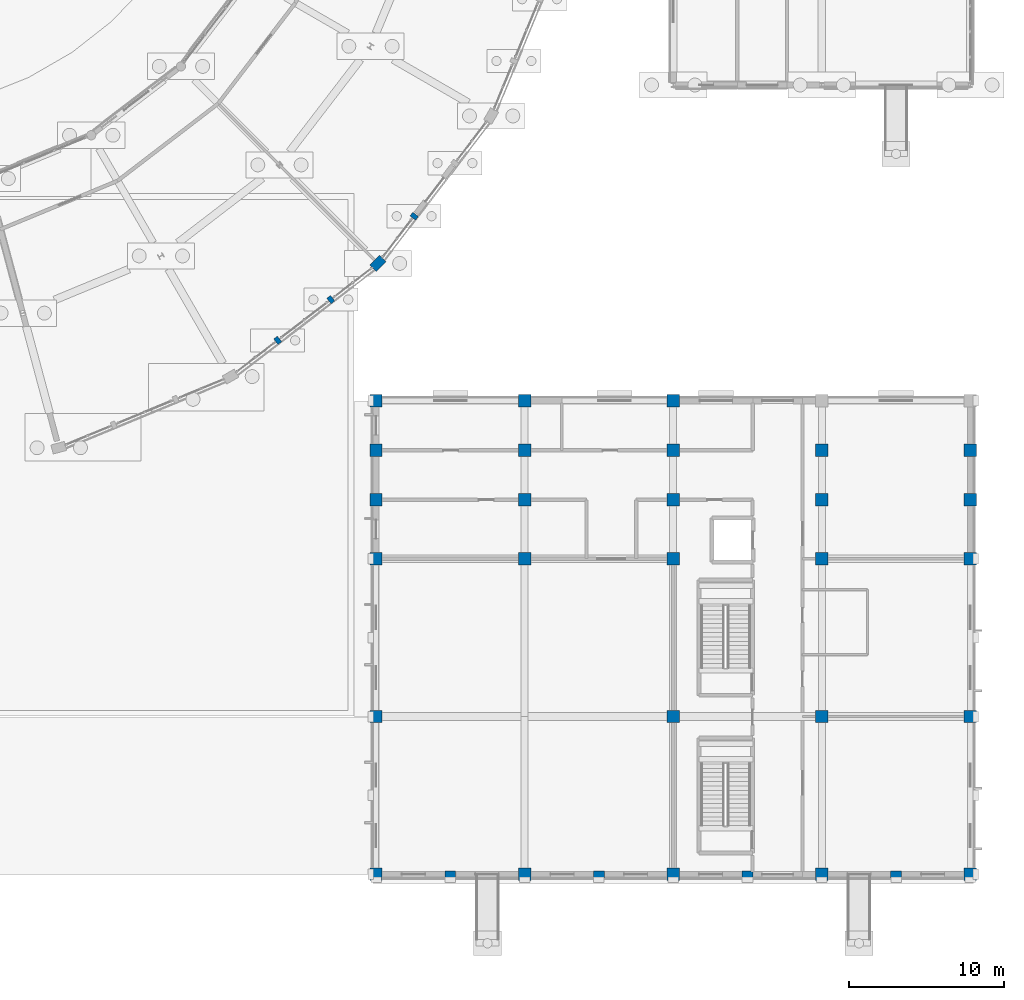
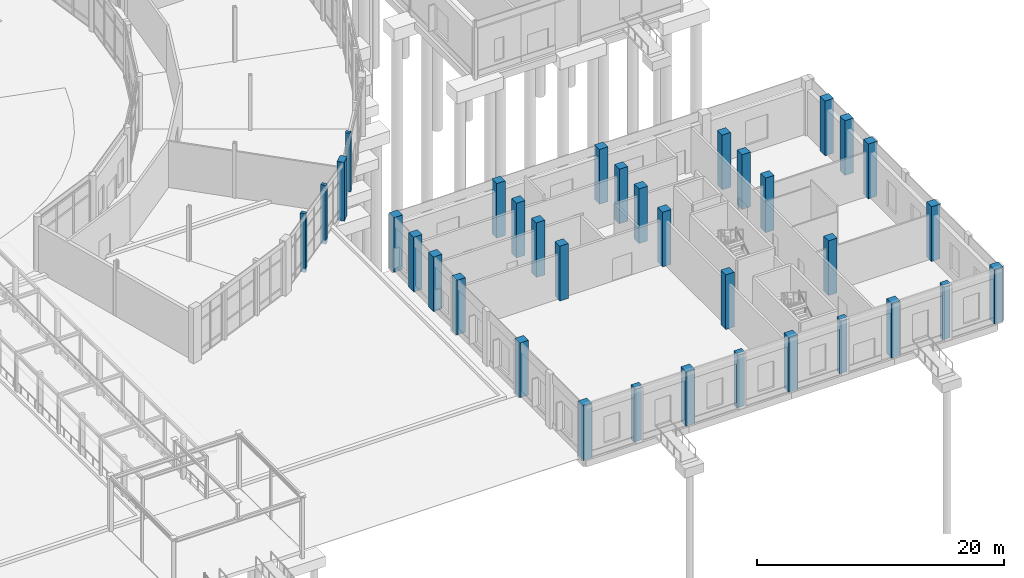
# One storey, part 19 of 137: 35 columns.
"""IFC4 building model written with IfcOpenShell, lengths in metres."""

import ifcopenshell
import ifcopenshell.guid

model = None  # the IFC model being written
_history = None  # IfcOwnerHistory: only IFC2X3 demands one
_inside = {}  # id of a spatial element -> (the spatial element, [elements in it])
_under = {}  # id of a project, library or spatial element -> (it, [spatial elements below it])
_declared = {}  # id of a project -> (the project, [libraries it declares])
_typed = {}  # id of a type object -> (the type object, [elements of that type])
_made_of = {}  # id of a material, layer set ... -> (it, [elements and type objects made of it])


def new_model(schema):
    """Start an empty IFC model of exactly this schema.

    Asked for "IFC4X3", IfcOpenShell would pick the latest addendum, in which some entities
    have other attributes; the version numbers below select the first issue.
    IFC2X3 requires an IfcOwnerHistory on every rooted entity: one is made here for all.
    """
    global model, _history
    if schema == "IFC4X3":
        model = ifcopenshell.file(schema_version=(4, 3, 0, 0))
    else:
        model = ifcopenshell.file(schema=schema)
    _inside.clear()
    _under.clear()
    _declared.clear()
    _typed.clear()
    _made_of.clear()
    _history = None
    if model.schema == "IFC2X3":
        org = make("IfcOrganization", Name="unknown")
        user = make(
            "IfcPersonAndOrganization",
            ThePerson=make("IfcPerson", FamilyName="unknown"),
            TheOrganization=org,
        )
        app = make(
            "IfcApplication",
            ApplicationDeveloper=org,
            Version="unknown",
            ApplicationFullName="unknown",
            ApplicationIdentifier="unknown",
        )
        _history = make(
            "IfcOwnerHistory",
            OwningUser=user,
            OwningApplication=app,
            ChangeAction="ADDED",
            CreationDate=0,
        )
    return model


def make(cls, **values):
    """One entity of the class cls with the attributes given. An attribute that is None is left unset."""
    return model.create_entity(
        cls, **{name: value for name, value in values.items() if value is not None}
    )


def rooted(cls, **values):
    """An entity with a GlobalId (a new one), such as an element, a storey or a relation."""
    return make(cls, GlobalId=ifcopenshell.guid.new(), OwnerHistory=_history, **values)


def si_unit(unit_type, name, prefix=None):
    """IfcSIUnit, for example si_unit("LENGTHUNIT", "METRE", prefix="MILLI")."""
    return make("IfcSIUnit", UnitType=unit_type, Prefix=prefix, Name=name)


def assignment(units):
    """IfcUnitAssignment: the units of a project."""
    return None if units is None else make("IfcUnitAssignment", Units=units)


def point(xyz):
    """IfcCartesianPoint."""
    return None if xyz is None else make("IfcCartesianPoint", Coordinates=xyz)


def direction(xyz):
    """IfcDirection."""
    return None if xyz is None else make("IfcDirection", DirectionRatios=xyz)


def frame(location, z_axis=None, x_axis=None):
    """IfcAxis2Placement3D, a coordinate frame: its origin and axes. An axis left out is left unset."""
    return make(
        "IfcAxis2Placement3D",
        Location=point(location),
        Axis=direction(z_axis),
        RefDirection=direction(x_axis),
    )


def frame_2d(location, x_axis=None):
    """IfcAxis2Placement2D, a coordinate frame in the plane: its origin and x axis."""
    return make(
        "IfcAxis2Placement2D", Location=point(location), RefDirection=direction(x_axis)
    )


def origin():
    """The frame at (0, 0, 0) with its axes left unset."""
    return frame((0.0, 0.0, 0.0))


def origin_2d():
    """The frame at (0, 0) in the plane with its x axis left unset."""
    return frame_2d((0.0, 0.0))


def place(relative_to, where):
    """IfcLocalPlacement: puts the frame where relative to a parent placement (None: the world)."""
    return make(
        "IfcLocalPlacement", PlacementRelTo=relative_to, RelativePlacement=where
    )


def context(
    kind, dimensions, precision=None, world=None, true_north=None, identifier=None
):
    """IfcGeometricRepresentationContext, for example the 3D "Model" context."""
    return make(
        "IfcGeometricRepresentationContext",
        ContextIdentifier=identifier,
        ContextType=kind,
        CoordinateSpaceDimension=dimensions,
        Precision=precision,
        WorldCoordinateSystem=world,
        TrueNorth=true_north,
    )


def subcontext(parent, identifier, kind, view, scale=None):
    """IfcGeometricRepresentationSubContext, for example "Body" below "Model"."""
    return make(
        "IfcGeometricRepresentationSubContext",
        ContextIdentifier=identifier,
        ContextType=kind,
        ParentContext=parent,
        TargetScale=scale,
        TargetView=view,
    )


def project(units=None, contexts=None):
    """IfcProject with its units and contexts."""
    return rooted(
        "IfcProject",
        Name="project",
        RepresentationContexts=contexts,
        UnitsInContext=assignment(units),
    )


def spatial(cls, under=None, at=None, **own):
    """A site, building, storey or space (cls), placed at a placement, below another one or the project."""
    s = rooted(cls, ObjectPlacement=at, **own)
    if under is not None:
        _under.setdefault(under.id(), (under, []))[1].append(s)
    return s


def profile(cls, at=None, kind="AREA", **sizes):
    """A parametric profile (cls). Its sizes go by their IFC names, for example OverallWidth=200.0."""
    return make(cls, ProfileType=kind, Position=at, **sizes)


def rectangle(**sizes):
    """IfcRectangleProfileDef."""
    return profile("IfcRectangleProfileDef", **sizes)


def extrude(swept, where, along, depth):
    """IfcExtrudedAreaSolid: the profile swept, set in the frame where, extruded along a direction by depth."""
    return make(
        "IfcExtrudedAreaSolid",
        SweptArea=swept,
        Position=where,
        ExtrudedDirection=direction(along),
        Depth=depth,
    )


def shape(context_of_items, identifier, shape_type, items):
    """IfcShapeRepresentation: the items that make up one representation, for example the "Body"."""
    return make(
        "IfcShapeRepresentation",
        ContextOfItems=context_of_items,
        RepresentationIdentifier=identifier,
        RepresentationType=shape_type,
        Items=items,
    )


def material(Name=None, Category=None):
    """IfcMaterial."""
    return make("IfcMaterial", Name=Name, Category=Category)


def material_profile(
    of_material, cross_section, Name=None, Category=None, Priority=None
):
    """IfcMaterialProfile: a cross section and its material."""
    return make(
        "IfcMaterialProfile",
        Name=Name,
        Material=of_material,
        Profile=cross_section,
        Priority=Priority,
        Category=Category,
    )


def profile_set(profiles, Name=None, composite=None):
    """IfcMaterialProfileSet."""
    return make(
        "IfcMaterialProfileSet",
        Name=Name,
        MaterialProfiles=profiles,
        CompositeProfile=composite,
    )


def made_of(thing, what):
    """Note that an element or type object is made of a material, layer set ...; save() writes the relation."""
    if what is not None:
        _made_of.setdefault(what.id(), (what, []))[1].append(thing)
    return thing


def type_object(cls, material=None, **own):
    """A type object (cls), such as IfcWallType, which elements share."""
    return made_of(rooted(cls, **own), material)


def element(
    cls,
    number,
    at=None,
    inside=None,
    cuts=None,
    type_object=None,
    material=None,
    context=None,
    identifier="Body",
    shape_type=None,
    held_by="IfcProductDefinitionShape",
    body=None,
    shapes=None,
    **own,
):
    """One element of the class cls, such as IfcWall. Its Tag is "e" and its number.

    at: its placement. inside: the storey or other place that contains it. cuts: it is an
    opening in that element (IfcRelVoidsElement). A single representation is given by context,
    identifier, shape_type and body (its items); several are given by shapes. held_by: the class
    of the entity that holds the representations. save() writes the other relations.
    """
    e = rooted(cls, Tag="e%d" % number, ObjectPlacement=at, **own)
    if body is not None:
        shapes = [shape(context, identifier, shape_type, body)]
    if shapes is not None:
        e.Representation = make(held_by, Representations=shapes)
    if inside is not None:
        _inside.setdefault(inside.id(), (inside, []))[1].append(e)
    if cuts is not None:
        rooted(
            "IfcRelVoidsElement", RelatingBuildingElement=cuts, RelatedOpeningElement=e
        )
    if type_object is not None:
        _typed.setdefault(type_object.id(), (type_object, []))[1].append(e)
    return made_of(e, material)


def aggregate(whole, parts):
    """IfcRelAggregates: a whole, such as a stair, and the parts it consists of."""
    return rooted("IfcRelAggregates", RelatingObject=whole, RelatedObjects=parts)


def save(model, path):
    """Write the relations noted so far, then the file.

    IfcRelAggregates (storeys below a building ...), IfcRelContainedInSpatialStructure (elements
    in a storey), IfcRelDefinesByType, IfcRelAssociatesMaterial and IfcRelDeclares: one each for
    every whole, place, type object, material and project.
    """
    for whole, parts in _under.values():
        aggregate(whole, parts)
    for where, things in _inside.values():
        rooted(
            "IfcRelContainedInSpatialStructure",
            RelatedElements=things,
            RelatingStructure=where,
        )
    for kind, things in _typed.values():
        rooted("IfcRelDefinesByType", RelatedObjects=things, RelatingType=kind)
    for what, things in _made_of.values():
        rooted("IfcRelAssociatesMaterial", RelatedObjects=things, RelatingMaterial=what)
    for by, libraries in _declared.values():
        rooted("IfcRelDeclares", RelatingContext=by, RelatedDefinitions=libraries)
    model.write(path)


model = new_model("IFC4")

# Units and contexts
model_context = context("Model", 3, precision=1e-05, world=origin(), true_north=direction((0.0, 1.0)))
body_context = subcontext(model_context, "Body", "Model", "MODEL_VIEW")
ifc_project = project(units=[si_unit("LENGTHUNIT", "METRE"), si_unit("AREAUNIT", "SQUARE_METRE"), si_unit("VOLUMEUNIT", "CUBIC_METRE"), si_unit("PLANEANGLEUNIT", "RADIAN"), si_unit("MASSUNIT", "GRAM", prefix="KILO")], contexts=[model_context])

# Site, building, storey
site_placement = place(None, origin())
site = spatial("IfcSite", under=ifc_project, at=site_placement, CompositionType="ELEMENT")
building_placement = place(site_placement, origin())
building = spatial("IfcBuilding", under=site, at=building_placement, Name="Vondelvale Polytechnic", CompositionType="ELEMENT")
storey_placement = place(building_placement, origin())
storey = spatial("IfcBuildingStorey", under=building, at=storey_placement, Name="L00", CompositionType="ELEMENT", Elevation=0.0)

# Columns
ifc_material_1 = material(Name="Glulam GL18 structural Tasmanian oak (fb = 42 MPa)", Category="wood")
ifc_material_profile_1 = material_profile(ifc_material_1, rectangle(XDim=0.300048828125, YDim=0.449951171875, at=origin_2d()), Name="GL-POST-300x450")
ifc_profile_set_1 = profile_set([ifc_material_profile_1], Name="Glulam GL18 structural Tasmanian oak (fb = 42 MPa)")
column_type_1 = type_object("IfcColumnType", Name="COL-GLULAM-300x450", PredefinedType="PILASTER", material=ifc_profile_set_1)
for number, where, z_axis, x_axis, name in (
    (1, (128.048583984375, 34.502197265625, -0.39990234375), (0.0, 0.0, 1.0), (0.793353340291, 0.608761429009, 0.0), "L00 ring outer glulam timber post C20-P1"),
    (2, (131.478271484375, 37.1337890625, -0.39990234375), (0.0, 0.0, 1.0), (0.793353340291, 0.608761429009, 0.0), "L00 ring outer glulam timber post C20-P2"),
    (3, (136.8662109375, 42.521728515625, -0.39990234375), (0.0, 0.0, 1.0), (0.608761429009, 0.793353340291, 0.0), "L00 ring outer glulam timber post C21-P1"),
):
    element("IfcColumn", number, at=place(storey_placement, frame(where, z_axis=z_axis, x_axis=x_axis)), inside=storey, type_object=column_type_1, Name=name, PredefinedType="PILASTER", context=body_context, shape_type="SweptSolid", body=[
        extrude(rectangle(XDim=0.300048828125, YDim=0.449951171875, at=origin_2d()), origin(), (0.0, 0.0, 1.0), 5.7998046875),
    ])
ifc_material_2 = material(Name="Concrete N50 (f'c = 50 MPa)", Category="concrete")
ifc_material_profile_2 = material_profile(ifc_material_2, rectangle(XDim=0.800048828125, YDim=0.800048828125, at=origin_2d()), Name="RC-COL-800x800")
ifc_profile_set_2 = profile_set([ifc_material_profile_2], Name="Concrete N50 (f'c = 50 MPa)")
column_type_2 = type_object("IfcColumnType", Name="COL-RC800", PredefinedType="COLUMN", material=ifc_profile_set_2)
for number, where, z_axis, x_axis, name in (
    (4, (134.39990234375, 0.0, 0.0), (0.0, 0.0, 1.0), (1.0, 0.0, 0.0), "L00 lecture wing column (134.4,0.0)"),
    (5, (134.39990234375, 10.199951171875, 0.0), (0.0, 0.0, 1.0), (1.0, 0.0, 0.0), "L00 lecture wing column (134.4,10.2)"),
    (6, (134.39990234375, 20.39990234375, 0.0), (0.0, 0.0, 1.0), (1.0, 0.0, 0.0), "L00 lecture wing column (134.4,20.4)"),
    (7, (134.39990234375, 24.199951171875, 0.0), (0.0, 0.0, 1.0), (1.0, 0.0, 0.0), "L00 lecture wing column (134.4,24.2)"),
    (8, (134.39990234375, 27.39990234375, 0.0), (0.0, 0.0, 1.0), (1.0, 0.0, 0.0), "L00 lecture wing column (134.4,27.4)"),
    (9, (134.39990234375, 30.60009765625, 0.0), (0.0, 0.0, 1.0), (1.0, 0.0, 0.0), "L00 lecture wing column (134.4,30.6)"),
    (10, (144.0, 0.0, 0.0), (0.0, 0.0, 1.0), (1.0, 0.0, 0.0), "L00 lecture wing column (144.0,0.0)"),
    (11, (144.0, 20.39990234375, 0.0), (0.0, 0.0, 1.0), (1.0, 0.0, 0.0), "L00 lecture wing column (144.0,20.4)"),
    (12, (144.0, 24.199951171875, 0.0), (0.0, 0.0, 1.0), (1.0, 0.0, 0.0), "L00 lecture wing column (144.0,24.2)"),
    (13, (144.0, 27.39990234375, 0.0), (0.0, 0.0, 1.0), (1.0, 0.0, 0.0), "L00 lecture wing column (144.0,27.4)"),
    (14, (144.0, 30.60009765625, 0.0), (0.0, 0.0, 1.0), (1.0, 0.0, 0.0), "L00 lecture wing column (144.0,30.6)"),
    (15, (153.60009765625, 0.0, 0.0), (0.0, 0.0, 1.0), (1.0, 0.0, 0.0), "L00 lecture wing column (153.6,0.0)"),
    (16, (153.60009765625, 10.199951171875, 0.0), (0.0, 0.0, 1.0), (1.0, 0.0, 0.0), "L00 lecture wing column (153.6,10.2)"),
    (17, (153.60009765625, 20.39990234375, 0.0), (0.0, 0.0, 1.0), (1.0, 0.0, 0.0), "L00 lecture wing column (153.6,20.4)"),
    (18, (153.60009765625, 24.199951171875, 0.0), (0.0, 0.0, 1.0), (1.0, 0.0, 0.0), "L00 lecture wing column (153.6,24.2)"),
    (19, (153.60009765625, 27.39990234375, 0.0), (0.0, 0.0, 1.0), (1.0, 0.0, 0.0), "L00 lecture wing column (153.6,27.4)"),
    (20, (153.60009765625, 30.60009765625, 0.0), (0.0, 0.0, 1.0), (1.0, 0.0, 0.0), "L00 lecture wing column (153.6,30.6)"),
    (21, (163.199951171875, 0.0, 0.0), (0.0, 0.0, 1.0), (1.0, 0.0, 0.0), "L00 lecture wing column (163.2,0.0)"),
    (22, (163.199951171875, 10.199951171875, 0.0), (0.0, 0.0, 1.0), (1.0, 0.0, 0.0), "L00 lecture wing column (163.2,10.2)"),
    (23, (163.199951171875, 20.39990234375, 0.0), (0.0, 0.0, 1.0), (1.0, 0.0, 0.0), "L00 lecture wing column (163.2,20.4)"),
    (24, (163.199951171875, 24.199951171875, 0.0), (0.0, 0.0, 1.0), (1.0, 0.0, 0.0), "L00 lecture wing column (163.2,24.2)"),
    (25, (163.199951171875, 27.39990234375, 0.0), (0.0, 0.0, 1.0), (1.0, 0.0, 0.0), "L00 lecture wing column (163.2,27.4)"),
    (26, (172.800048828125, 0.0, 0.0), (0.0, 0.0, 1.0), (1.0, 0.0, 0.0), "L00 lecture wing column (172.8,0.0)"),
    (27, (172.800048828125, 10.199951171875, 0.0), (0.0, 0.0, 1.0), (1.0, 0.0, 0.0), "L00 lecture wing column (172.8,10.2)"),
    (28, (172.800048828125, 20.39990234375, 0.0), (0.0, 0.0, 1.0), (1.0, 0.0, 0.0), "L00 lecture wing column (172.8,20.4)"),
    (29, (172.800048828125, 24.199951171875, 0.0), (0.0, 0.0, 1.0), (1.0, 0.0, 0.0), "L00 lecture wing column (172.8,24.2)"),
    (30, (172.800048828125, 27.39990234375, 0.0), (0.0, 0.0, 1.0), (1.0, 0.0, 0.0), "L00 lecture wing column (172.8,27.4)"),
):
    element("IfcColumn", number, at=place(storey_placement, frame(where, z_axis=z_axis, x_axis=x_axis)), inside=storey, type_object=column_type_2, Name=name, PredefinedType="COLUMN", context=body_context, shape_type="SweptSolid", body=[
        extrude(rectangle(XDim=0.800048828125, YDim=0.800048828125, at=origin_2d()), origin(), (0.0, 0.0, 1.0), 5.39990234375),
    ])
ifc_material_profile_3 = material_profile(ifc_material_2, rectangle(XDim=0.60009765625, YDim=0.89990234375, at=origin_2d()), Name="RC-COL-900x600")
ifc_profile_set_3 = profile_set([ifc_material_profile_3], Name="Concrete N50 (f'c = 50 MPa)")
column_type_3 = type_object("IfcColumnType", Name="COL-RC900x600", PredefinedType="COLUMN", material=ifc_profile_set_3)
column_placement = place(storey_placement, frame((134.52685546875, 39.47314453125, -0.39990234375), z_axis=(0.0, 0.0, 1.0), x_axis=(-0.707106781187, 0.707106781187, 0.0)))
element("IfcColumn", 31, at=column_placement, inside=storey, type_object=column_type_3, Name="L00 courtyard ring column S21-RO", PredefinedType="COLUMN", context=body_context, shape_type="SweptSolid", body=[
    extrude(rectangle(XDim=0.60009765625, YDim=0.89990234375, at=origin_2d()), origin(), (0.0, 0.0, 1.0), 5.7998046875),
])
ifc_material_profile_4 = material_profile(ifc_material_2, rectangle(XDim=0.449951171875, YDim=0.699951171875, at=origin_2d()), Name="RC-PIL-700x450")
ifc_profile_set_4 = profile_set([ifc_material_profile_4], Name="Concrete N50 (f'c = 50 MPa)")
column_type_4 = type_object("IfcColumnType", Name="PIL-RC700x450", PredefinedType="PILASTER", material=ifc_profile_set_4)
for number, where, z_axis, x_axis, name in (
    (32, (139.199951171875, 0.0, 0.0), (0.0, 0.0, 1.0), (0.0, 1.0, 0.0), "L00 Lecture wing South brick pilaster 1"),
    (33, (148.800048828125, 0.0, 0.0), (0.0, 0.0, 1.0), (0.0, 1.0, 0.0), "L00 Lecture wing South brick pilaster 2"),
    (34, (158.39990234375, 0.0, 0.0), (0.0, 0.0, 1.0), (0.0, 1.0, 0.0), "L00 Lecture wing South brick pilaster 3"),
    (35, (168.0, 0.0, 0.0), (0.0, 0.0, 1.0), (0.0, 1.0, 0.0), "L00 Lecture wing South brick pilaster 4"),
):
    element("IfcColumn", number, at=place(storey_placement, frame(where, z_axis=z_axis, x_axis=x_axis)), inside=storey, type_object=column_type_4, Name=name, PredefinedType="PILASTER", context=body_context, shape_type="SweptSolid", body=[
        extrude(rectangle(XDim=0.449951171875, YDim=0.699951171875, at=origin_2d()), origin(), (0.0, 0.0, 1.0), 5.39990234375),
    ])

save(model, "model.ifc")
